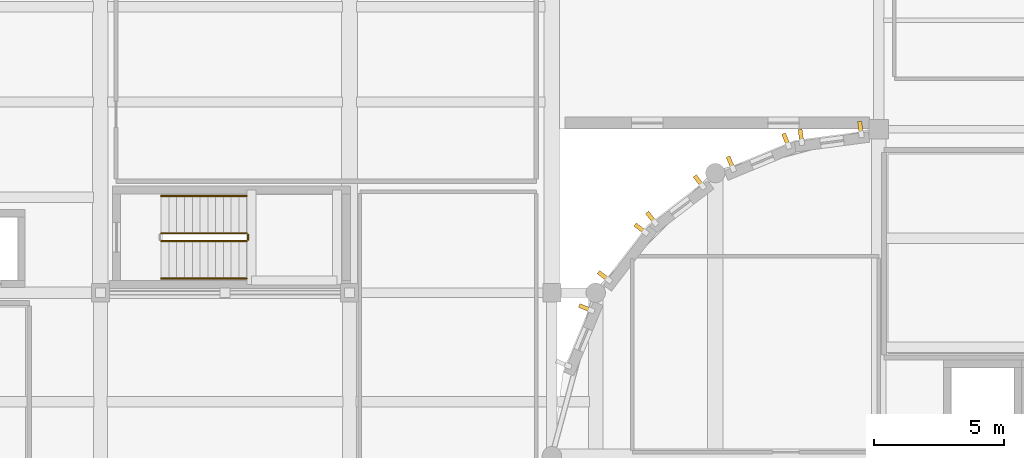
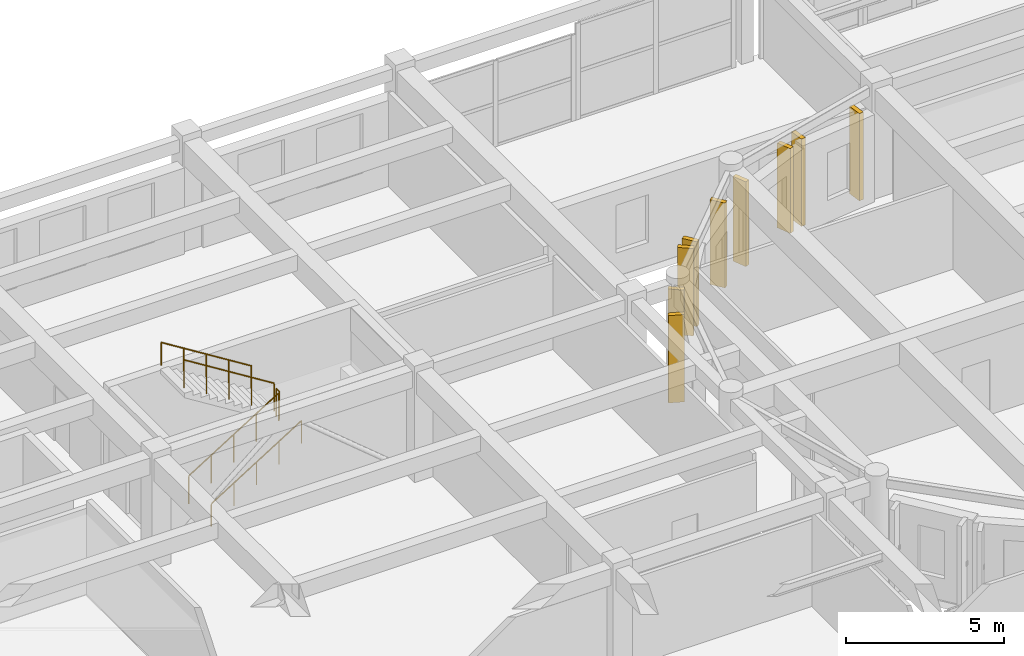
# One storey, part 86 of 91: 9 coverings, 5 railings.
"""IFC4 building model written with IfcOpenShell, lengths in metres."""

from ifc_helpers import new_model, si_unit, direction, frame, origin, origin_2d, place, context, subcontext, project, spatial, rectangle, circle, extrude, material, layer, layer_set, type_object, element, save


model = new_model("IFC4")

# Units and contexts
model_context = context("Model", 3, precision=1e-05, world=origin(), true_north=direction((0.0, 1.0)))
body_context = subcontext(model_context, "Body", "Model", "MODEL_VIEW")
ifc_project = project(units=[si_unit("LENGTHUNIT", "METRE"), si_unit("AREAUNIT", "SQUARE_METRE"), si_unit("VOLUMEUNIT", "CUBIC_METRE"), si_unit("PLANEANGLEUNIT", "RADIAN"), si_unit("MASSUNIT", "GRAM", prefix="KILO")], contexts=[model_context])

# Site, building, storey
site_placement = place(None, origin())
site = spatial("IfcSite", under=ifc_project, at=site_placement, CompositionType="ELEMENT")
building_placement = place(site_placement, origin())
building = spatial("IfcBuilding", under=site, at=building_placement, Name="Tarnavel Promenade Courthouse", CompositionType="ELEMENT")
storey_placement = place(building_placement, frame((0.0, 0.0, 9.89990234375)))
storey = spatial("IfcBuildingStorey", under=building, at=storey_placement, Name="L03", CompositionType="ELEMENT", Elevation=9.89990234375)

# Railings
ifc_material_1 = material(Name="Brushed Bronze Tubular Stair Handrail")
railing_type_1 = type_object("IfcRailingType", Name="Brushed Bronze Tubular Stair Handrail (RL-HND-0900)", PredefinedType="HANDRAIL", material=ifc_material_1)
railing_1_placement = place(storey_placement, frame((31.139892578125, 98.64990234375, 0.1875)))
element("IfcRailing", 1, at=railing_1_placement, inside=storey, type_object=railing_type_1, Name="L03 ST-07 stair handrail 1", PredefinedType="HANDRAIL", context=body_context, shape_type="SweptSolid", body=[
    extrude(circle(Radius=0.02392578125, at=origin_2d()), frame((0.0, 0.0, 0.8759765625), z_axis=(0.848001828478, 0.0, 0.529993300805), x_axis=(0.0, 1.0, 0.0)), (0.0, 0.0, 1.0), 3.8916015625),
    extrude(circle(Radius=0.02099609375, at=origin_2d()), origin(), (0.0, 0.0, 1.0), 0.851806640625),
    extrude(circle(Radius=0.02099609375, at=origin_2d()), frame((0.824951171875, 0.0, 0.515625)), (0.0, 0.0, 1.0), 0.851806640625),
    extrude(circle(Radius=0.02099609375, at=origin_2d()), frame((1.64990234375, 0.0, 1.03125)), (0.0, 0.0, 1.0), 0.851806640625),
    extrude(circle(Radius=0.02099609375, at=origin_2d()), frame((2.47509765625, 0.0, 1.546875)), (0.0, 0.0, 1.0), 0.851806640625),
    extrude(circle(Radius=0.02099609375, at=origin_2d()), frame((3.300048828125, 0.0, 2.0625)), (0.0, 0.0, 1.0), 0.851806640625),
])
railing_2_placement = place(storey_placement, frame((34.43994140625, 101.830078125, 2.4375)))
element("IfcRailing", 2, at=railing_2_placement, inside=storey, type_object=railing_type_1, Name="L03 ST-07 stair handrail 2", PredefinedType="HANDRAIL", context=body_context, shape_type="SweptSolid", body=[
    extrude(circle(Radius=0.02392578125, at=origin_2d()), frame((0.0, 0.0, 0.8759765625), z_axis=(-0.848001828478, 0.0, 0.529993300805), x_axis=(0.0, -1.0, 0.0)), (0.0, 0.0, 1.0), 3.8916015625),
    extrude(circle(Radius=0.02099609375, at=origin_2d()), origin(), (0.0, 0.0, 1.0), 0.851806640625),
    extrude(circle(Radius=0.02099609375, at=origin_2d()), frame((-0.824951171875, 0.0, 0.515625)), (0.0, 0.0, 1.0), 0.851806640625),
    extrude(circle(Radius=0.02099609375, at=origin_2d()), frame((-1.64990234375, 0.0, 1.03125)), (0.0, 0.0, 1.0), 0.851806640625),
    extrude(circle(Radius=0.02099609375, at=origin_2d()), frame((-2.47509765625, 0.0, 1.546875)), (0.0, 0.0, 1.0), 0.851806640625),
    extrude(circle(Radius=0.02099609375, at=origin_2d()), frame((-3.300048828125, 0.0, 2.0625)), (0.0, 0.0, 1.0), 0.851806640625),
])
ifc_material_2 = material(Name="Painted Architectural Steel Core Stair Guardrail", Category="steel")
railing_type_2 = type_object("IfcRailingType", Name="Painted Architectural Steel Core Stair Guardrail (RL-GRD-1100)", PredefinedType="GUARDRAIL", material=ifc_material_2)
railing_3_placement = place(storey_placement, frame((31.139892578125, 100.090087890625, 0.1875)))
element("IfcRailing", 3, at=railing_3_placement, inside=storey, type_object=railing_type_2, Name="L03 ST-07 stair guard 1", PredefinedType="GUARDRAIL", context=body_context, shape_type="SweptSolid", body=[
    extrude(circle(Radius=0.02392578125, at=origin_2d()), frame((0.0, 0.0, 1.076171875), z_axis=(0.848001828478, 0.0, 0.529993300805), x_axis=(0.0, 1.0, 0.0)), (0.0, 0.0, 1.0), 3.8916015625),
    extrude(circle(Radius=0.02099609375, at=origin_2d()), origin(), (0.0, 0.0, 1.0), 1.052001953125),
    extrude(circle(Radius=0.02099609375, at=origin_2d()), frame((0.824951171875, 0.0, 0.515625)), (0.0, 0.0, 1.0), 1.052001953125),
    extrude(circle(Radius=0.02099609375, at=origin_2d()), frame((1.64990234375, 0.0, 1.03125)), (0.0, 0.0, 1.0), 1.052001953125),
    extrude(circle(Radius=0.02099609375, at=origin_2d()), frame((2.47509765625, 0.0, 1.546875)), (0.0, 0.0, 1.0), 1.052001953125),
    extrude(circle(Radius=0.02099609375, at=origin_2d()), frame((3.300048828125, 0.0, 2.0625)), (0.0, 0.0, 1.0), 1.052001953125),
])
railing_4_placement = place(storey_placement, frame((34.489990234375, 100.139892578125, 2.25)))
element("IfcRailing", 4, at=railing_4_placement, inside=storey, type_object=railing_type_2, Name="L03 ST-07 stair guard 2", PredefinedType="GUARDRAIL", context=body_context, shape_type="SweptSolid", body=[
    extrude(circle(Radius=0.02392578125, at=origin_2d()), frame((0.0, 0.0, 1.076171875), z_axis=(0.0, 1.0, 0.0), x_axis=(-1.0, 0.0, 0.0)), (0.0, 0.0, 1.0), 0.2001953125),
    extrude(circle(Radius=0.02099609375, at=origin_2d()), origin(), (0.0, 0.0, 1.0), 1.052001953125),
    extrude(circle(Radius=0.02099609375, at=origin_2d()), frame((0.0, 0.2001953125, 0.0)), (0.0, 0.0, 1.0), 1.052001953125),
])
railing_5_placement = place(storey_placement, frame((34.43994140625, 100.389892578125, 2.4375)))
element("IfcRailing", 5, at=railing_5_placement, inside=storey, type_object=railing_type_2, Name="L03 ST-07 stair guard 3", PredefinedType="GUARDRAIL", context=body_context, shape_type="SweptSolid", body=[
    extrude(circle(Radius=0.02392578125, at=origin_2d()), frame((0.0, 0.0, 1.076171875), z_axis=(-0.848001828478, 0.0, 0.529993300805), x_axis=(0.0, -1.0, 0.0)), (0.0, 0.0, 1.0), 3.8916015625),
    extrude(circle(Radius=0.02099609375, at=origin_2d()), origin(), (0.0, 0.0, 1.0), 1.052001953125),
    extrude(circle(Radius=0.02099609375, at=origin_2d()), frame((-0.824951171875, 0.0, 0.515625)), (0.0, 0.0, 1.0), 1.052001953125),
    extrude(circle(Radius=0.02099609375, at=origin_2d()), frame((-1.64990234375, 0.0, 1.03125)), (0.0, 0.0, 1.0), 1.052001953125),
    extrude(circle(Radius=0.02099609375, at=origin_2d()), frame((-2.47509765625, 0.0, 1.546875)), (0.0, 0.0, 1.0), 1.052001953125),
    extrude(circle(Radius=0.02099609375, at=origin_2d()), frame((-3.300048828125, 0.0, 2.0625)), (0.0, 0.0, 1.0), 1.052001953125),
])

# Coverings
ifc_material_3 = material(Name="Patinated Copper-Bronze Fluted Pier Cladding")
ifc_layer = layer(ifc_material_3, 0.52001953125)
ifc_layer_set = layer_set([ifc_layer], Name="Patinated Copper-Bronze Fluted Pier Cladding")
covering_type = type_object("IfcCoveringType", Name="Patinated Copper-Bronze Fluted Pier Cladding COV-PIER-520 (520 mm)", PredefinedType="CLADDING", material=ifc_layer_set)
for number, where, z_axis, x_axis, name in (
    (6, (58.0927734375, 104.447998046875, 0.000244140625), (0.0, 0.0, 1.0), (-0.991444861374, -0.13052619222, 0.0), "L03 W Drum Fluted Copper Pier 0061"),
    (7, (55.798095703125, 104.14599609375, 0.000244140625), (0.0, 0.0, 1.0), (-0.991444861374, -0.13052619222, 0.0), "L03 W Drum Fluted Copper Pier 0062"),
):
    element("IfcCovering", number, at=place(storey_placement, frame(where, z_axis=z_axis, x_axis=x_axis)), inside=storey, type_object=covering_type, Name=name, PredefinedType="CLADDING", context=body_context, shape_type="SweptSolid", body=[
        extrude(rectangle(XDim=0.159912109375, YDim=0.52001953125, at=origin_2d()), origin(), (0.0, 0.0, 1.0), 3.3798828125),
    ])
for number, where, z_axis, x_axis, name in (
    (8, (55.2265625, 103.992919921875, 0.0), (0.0, 0.0, 1.0), (-0.923879532511, -0.382683432365, 0.0), "L03 W Drum Fluted Copper Pier 0063"),
    (9, (53.08837890625, 103.107177734375, 0.0), (0.0, 0.0, 1.0), (-0.923879532511, -0.382683432365, 0.0), "L03 W Drum Fluted Copper Pier 0064"),
    (10, (51.86328125, 102.39990234375, 0.0), (0.0, 0.0, 1.0), (-0.793353340291, -0.608761429009, 0.0), "L03 W Drum Fluted Copper Pier 0065"),
    (11, (50.02734375, 100.9912109375, 0.0), (0.0, 0.0, 1.0), (-0.793353340291, -0.608761429009, 0.0), "L03 W Drum Fluted Copper Pier 0066"),
):
    element("IfcCovering", number, at=place(storey_placement, frame(where, z_axis=z_axis, x_axis=x_axis)), inside=storey, type_object=covering_type, Name=name, PredefinedType="CLADDING", context=body_context, shape_type="SweptSolid", body=[
        extrude(rectangle(XDim=0.159912109375, YDim=0.52001953125, at=origin_2d()), origin(), (0.0, 0.0, 1.0), 3.280029296875),
    ])
for number, where, z_axis, x_axis, name in (
    (12, (49.60888671875, 100.572509765625, 0.000244140625), (0.0, 0.0, 1.0), (-0.608761429009, -0.793353340291, 0.0), "L03 W Drum Fluted Copper Pier 0067"),
    (13, (48.2001953125, 98.736572265625, 0.000244140625), (0.0, 0.0, 1.0), (-0.608761429009, -0.793353340291, 0.0), "L03 W Drum Fluted Copper Pier 0068"),
    (14, (47.492919921875, 97.511474609375, 0.000244140625), (0.0, 0.0, 1.0), (-0.382683432365, -0.923879532511, 0.0), "L03 W Drum Fluted Copper Pier 0069"),
):
    element("IfcCovering", number, at=place(storey_placement, frame(where, z_axis=z_axis, x_axis=x_axis)), inside=storey, type_object=covering_type, Name=name, PredefinedType="CLADDING", context=body_context, shape_type="SweptSolid", body=[
        extrude(rectangle(XDim=0.159912109375, YDim=0.52001953125, at=origin_2d()), origin(), (0.0, 0.0, 1.0), 3.3798828125),
    ])

save(model, "model.ifc")
